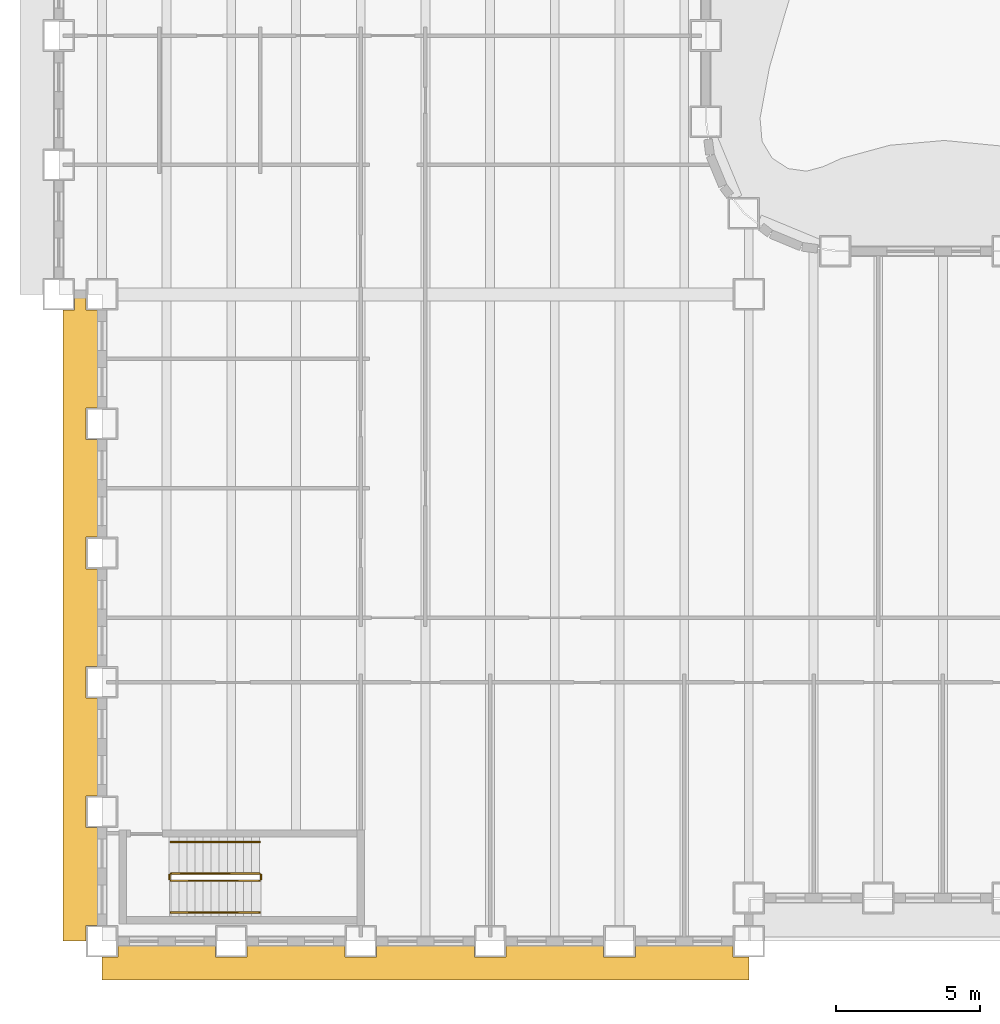
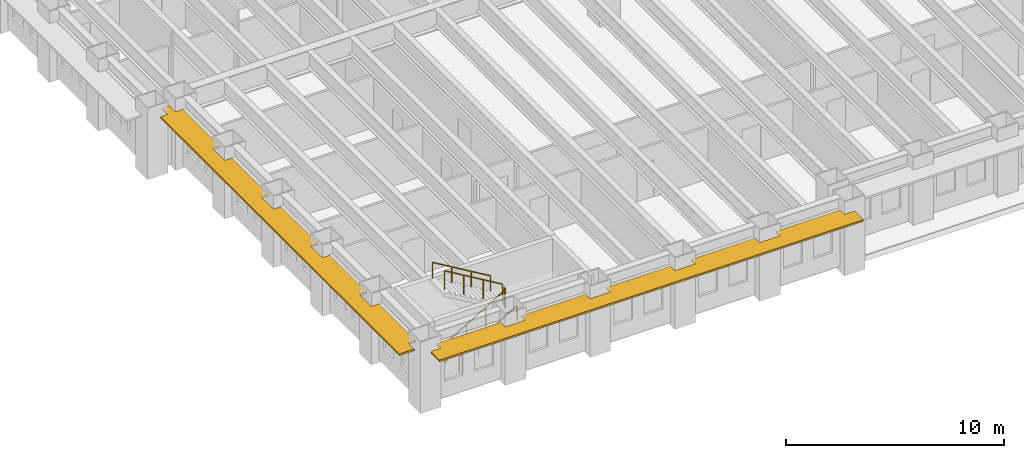
# One storey, part 11 of 18: 6 railings, 2 shading devices.
"""IFC4 building model written with IfcOpenShell, lengths in metres."""

from ifc_helpers import new_model, si_unit, direction, frame, origin, origin_2d, place, context, subcontext, project, spatial, polyline, rectangle, outline, extrude, material, layer, layer_set, type_object, element, save


model = new_model("IFC4")

# Units and contexts
model_context = context("Model", 3, precision=1e-05, world=origin(), true_north=direction((0.0, 1.0)))
body_context = subcontext(model_context, "Body", "Model", "MODEL_VIEW")
ifc_project = project(units=[si_unit("LENGTHUNIT", "METRE"), si_unit("AREAUNIT", "SQUARE_METRE"), si_unit("VOLUMEUNIT", "CUBIC_METRE"), si_unit("PLANEANGLEUNIT", "RADIAN"), si_unit("MASSUNIT", "GRAM", prefix="KILO")], contexts=[model_context])

# Site, building, storey
site_placement = place(None, origin())
site = spatial("IfcSite", under=ifc_project, at=site_placement, CompositionType="ELEMENT")
building_placement = place(site_placement, origin())
building = spatial("IfcBuilding", under=site, at=building_placement, Name="Sennacour Bend Tower", CompositionType="ELEMENT")
storey_placement = place(building_placement, frame((0.0, 0.0, 29.0)))
storey = spatial("IfcBuildingStorey", under=building, at=storey_placement, Name="L05", CompositionType="ELEMENT", Elevation=29.0)

# Railings
ifc_material_1 = material(Name="Stainless steel", Category="steel")
railing_type_1 = type_object("IfcRailingType", Name="RL-GUARD-1100", PredefinedType="GUARDRAIL", material=ifc_material_1)
railing_1_placement = place(storey_placement, frame((2.39990234375, 2.10009765625, 0.166748046875)))
element("IfcRailing", 1, at=railing_1_placement, inside=storey, type_object=railing_type_1, Name="L05 SK1 stair guard 1", PredefinedType="GUARDRAIL", context=body_context, shape_type="SweptSolid", body=[
    extrude(rectangle(XDim=0.048095703125, YDim=0.048095703125, at=origin_2d()), frame((0.0, 0.0, 1.076171875), z_axis=(0.859308565015, 0.0, 0.511457515432), x_axis=(0.0, 1.0, 0.0)), (0.0, 0.0, 1.0), 3.58447265625),
    extrude(rectangle(XDim=0.0419921875, YDim=0.0419921875, at=origin_2d()), origin(), (0.0, 0.0, 1.0), 1.052001953125),
    extrude(rectangle(XDim=0.0419921875, YDim=0.0419921875, at=origin_2d()), frame((1.026611328125, 0.0, 0.611083984375)), (0.0, 0.0, 1.0), 1.052001953125),
    extrude(rectangle(XDim=0.0419921875, YDim=0.0419921875, at=origin_2d()), frame((2.053466796875, 0.0, 1.22216796875)), (0.0, 0.0, 1.0), 1.052001953125),
    extrude(rectangle(XDim=0.0419921875, YDim=0.0419921875, at=origin_2d()), frame((3.080078125, 0.0, 1.833251953125)), (0.0, 0.0, 1.0), 1.052001953125),
])
railing_2_placement = place(storey_placement, frame((5.530029296875, 2.14990234375, 2.0)))
element("IfcRailing", 2, at=railing_2_placement, inside=storey, type_object=railing_type_1, Name="L05 SK1 stair guard 2", PredefinedType="GUARDRAIL", context=body_context, shape_type="SweptSolid", body=[
    extrude(rectangle(XDim=0.048095703125, YDim=0.048095703125, at=origin_2d()), frame((0.0, 0.0, 1.076171875), z_axis=(0.0, 1.0, 0.0), x_axis=(-1.0, 0.0, 0.0)), (0.0, 0.0, 1.0), 0.150146484375),
    extrude(rectangle(XDim=0.0419921875, YDim=0.0419921875, at=origin_2d()), origin(), (0.0, 0.0, 1.0), 1.052001953125),
    extrude(rectangle(XDim=0.0419921875, YDim=0.0419921875, at=origin_2d()), frame((0.0, 0.150146484375, 0.0)), (0.0, 0.0, 1.0), 1.052001953125),
])
railing_3_placement = place(storey_placement, frame((5.47998046875, 2.35009765625, 2.166748046875)))
element("IfcRailing", 3, at=railing_3_placement, inside=storey, type_object=railing_type_1, Name="L05 SK1 stair guard 3", PredefinedType="GUARDRAIL", context=body_context, shape_type="SweptSolid", body=[
    extrude(rectangle(XDim=0.048095703125, YDim=0.048095703125, at=origin_2d()), frame((0.0, 0.0, 1.076171875), z_axis=(-0.859308565015, 0.0, 0.511457515432), x_axis=(0.0, -1.0, 0.0)), (0.0, 0.0, 1.0), 3.58447265625),
    extrude(rectangle(XDim=0.0419921875, YDim=0.0419921875, at=origin_2d()), origin(), (0.0, 0.0, 1.0), 1.052001953125),
    extrude(rectangle(XDim=0.0419921875, YDim=0.0419921875, at=origin_2d()), frame((-1.026611328125, 0.0, 0.611083984375)), (0.0, 0.0, 1.0), 1.052001953125),
    extrude(rectangle(XDim=0.0419921875, YDim=0.0419921875, at=origin_2d()), frame((-2.053466796875, 0.0, 1.22216796875)), (0.0, 0.0, 1.0), 1.052001953125),
    extrude(rectangle(XDim=0.0419921875, YDim=0.0419921875, at=origin_2d()), frame((-3.080078125, 0.0, 1.833251953125)), (0.0, 0.0, 1.0), 1.052001953125),
])
railing_4_placement = place(storey_placement, frame((2.35009765625, 2.14990234375, 0.0)))
element("IfcRailing", 4, at=railing_4_placement, inside=storey, type_object=railing_type_1, Name="L05 SK1 stair guard 4", PredefinedType="GUARDRAIL", context=body_context, shape_type="SweptSolid", body=[
    extrude(rectangle(XDim=0.048095703125, YDim=0.048095703125, at=origin_2d()), frame((0.0, 0.0, 1.076171875), z_axis=(0.0, 1.0, 0.0), x_axis=(-1.0, 0.0, 0.0)), (0.0, 0.0, 1.0), 0.150146484375),
    extrude(rectangle(XDim=0.0419921875, YDim=0.0419921875, at=origin_2d()), origin(), (0.0, 0.0, 1.0), 1.052001953125),
    extrude(rectangle(XDim=0.0419921875, YDim=0.0419921875, at=origin_2d()), frame((0.0, 0.150146484375, 0.0)), (0.0, 0.0, 1.0), 1.052001953125),
])
railing_type_2 = type_object("IfcRailingType", Name="RL-HANDRAIL-900", PredefinedType="HANDRAIL", material=ifc_material_1)
railing_5_placement = place(storey_placement, frame((2.39990234375, 1.0, 0.166748046875)))
element("IfcRailing", 5, at=railing_5_placement, inside=storey, type_object=railing_type_2, Name="L05 SK1 stair handrail 1", PredefinedType="HANDRAIL", context=body_context, shape_type="SweptSolid", body=[
    extrude(rectangle(XDim=0.048095703125, YDim=0.048095703125, at=origin_2d()), frame((0.0, 0.0, 0.8759765625), z_axis=(0.859308565015, 0.0, 0.511457515432), x_axis=(0.0, 1.0, 0.0)), (0.0, 0.0, 1.0), 3.58447265625),
    extrude(rectangle(XDim=0.0419921875, YDim=0.0419921875, at=origin_2d()), origin(), (0.0, 0.0, 1.0), 0.851806640625),
    extrude(rectangle(XDim=0.0419921875, YDim=0.0419921875, at=origin_2d()), frame((1.026611328125, 0.0, 0.611083984375)), (0.0, 0.0, 1.0), 0.851806640625),
    extrude(rectangle(XDim=0.0419921875, YDim=0.0419921875, at=origin_2d()), frame((2.053466796875, 0.0, 1.22216796875)), (0.0, 0.0, 1.0), 0.851806640625),
    extrude(rectangle(XDim=0.0419921875, YDim=0.0419921875, at=origin_2d()), frame((3.080078125, 0.0, 1.833251953125)), (0.0, 0.0, 1.0), 0.851806640625),
])
railing_6_placement = place(storey_placement, frame((5.47998046875, 3.449951171875, 2.166748046875)))
element("IfcRailing", 6, at=railing_6_placement, inside=storey, type_object=railing_type_2, Name="L05 SK1 stair handrail 2", PredefinedType="HANDRAIL", context=body_context, shape_type="SweptSolid", body=[
    extrude(rectangle(XDim=0.048095703125, YDim=0.048095703125, at=origin_2d()), frame((0.0, 0.0, 0.8759765625), z_axis=(-0.859308565015, 0.0, 0.511457515432), x_axis=(0.0, -1.0, 0.0)), (0.0, 0.0, 1.0), 3.58447265625),
    extrude(rectangle(XDim=0.0419921875, YDim=0.0419921875, at=origin_2d()), origin(), (0.0, 0.0, 1.0), 0.851806640625),
    extrude(rectangle(XDim=0.0419921875, YDim=0.0419921875, at=origin_2d()), frame((-1.026611328125, 0.0, 0.611083984375)), (0.0, 0.0, 1.0), 0.851806640625),
    extrude(rectangle(XDim=0.0419921875, YDim=0.0419921875, at=origin_2d()), frame((-2.053466796875, 0.0, 1.22216796875)), (0.0, 0.0, 1.0), 0.851806640625),
    extrude(rectangle(XDim=0.0419921875, YDim=0.0419921875, at=origin_2d()), frame((-3.080078125, 0.0, 1.833251953125)), (0.0, 0.0, 1.0), 0.851806640625),
])

# Shading devices
ifc_material_2 = material(Name="Bronze anodised aluminium", Category="aluminium")
ifc_layer = layer(ifc_material_2, 0.10009765625, Name="Bronze anodised aluminium", Category="aluminium")
ifc_layer_set = layer_set([ifc_layer], Name="Bronze anodised aluminium")
shading_device_type = type_object("IfcShadingDeviceType", Name="SUNSHADE BAND STRAIGHT", PredefinedType="USERDEFINED", material=ifc_layer_set)
shading_device_1_placement = place(storey_placement, frame((0.0, 0.0, 3.0439453125)))
element("IfcShadingDevice", 7, at=shading_device_1_placement, inside=storey, type_object=shading_device_type, Name="Sunshade band L05 K outer face", ObjectType="SUNSHADE", PredefinedType="USERDEFINED", context=body_context, shape_type="SweptSolid", body=[
    extrude(outline(polyline([(3.949951171875, -0.14990234375), (3.949951171875, -0.550048828125), (5.050048828125, -0.550048828125), (5.050048828125, -0.14990234375), (8.449951171875, -0.14990234375), (8.449951171875, -0.550048828125), (9.550048828125, -0.550048828125), (9.550048828125, -0.14990234375), (12.949951171875, -0.14990234375), (12.949951171875, -0.550048828125), (14.050048828125, -0.550048828125), (14.050048828125, -0.14990234375), (17.449951171875, -0.14990234375), (17.449951171875, -0.550048828125), (18.550048828125, -0.550048828125), (18.550048828125, -0.14990234375), (21.949951171875, -0.14990234375), (21.949951171875, -0.550048828125), (22.5, -0.550048828125), (22.5, -1.35009765625), (0.0, -1.35009765625), (0.0, -0.550048828125), (0.550048828125, -0.550048828125), (0.550048828125, -0.14990234375), (3.949951171875, -0.14990234375)])), origin(), (0.0, 0.0, 1.0), 0.10009765625),
])
shading_device_2_placement = place(storey_placement, frame((0.0, 0.0, 3.0439453125)))
element("IfcShadingDevice", 8, at=shading_device_2_placement, inside=storey, type_object=shading_device_type, Name="Sunshade band L05 K outer face", ObjectType="SUNSHADE", PredefinedType="USERDEFINED", context=body_context, shape_type="SweptSolid", body=[
    extrude(outline(polyline([(-0.14990234375, 18.550048828125), (-0.550048828125, 18.550048828125), (-0.550048828125, 17.449951171875), (-0.14990234375, 17.449951171875), (-0.14990234375, 14.050048828125), (-0.550048828125, 14.050048828125), (-0.550048828125, 12.949951171875), (-0.14990234375, 12.949951171875), (-0.14990234375, 9.550048828125), (-0.550048828125, 9.550048828125), (-0.550048828125, 8.449951171875), (-0.14990234375, 8.449951171875), (-0.14990234375, 5.050048828125), (-0.550048828125, 5.050048828125), (-0.550048828125, 3.949951171875), (-0.14990234375, 3.949951171875), (-0.14990234375, 0.550048828125), (-0.550048828125, 0.550048828125), (-0.550048828125, 0.0), (-1.35009765625, 0.0), (-1.35009765625, 21.949951171875), (-0.949951171875, 21.949951171875), (-0.949951171875, 22.5), (-0.550048828125, 22.5), (-0.550048828125, 21.949951171875), (-0.14990234375, 21.949951171875), (-0.14990234375, 18.550048828125)])), origin(), (0.0, 0.0, 1.0), 0.10009765625),
])

save(model, "model.ifc")
